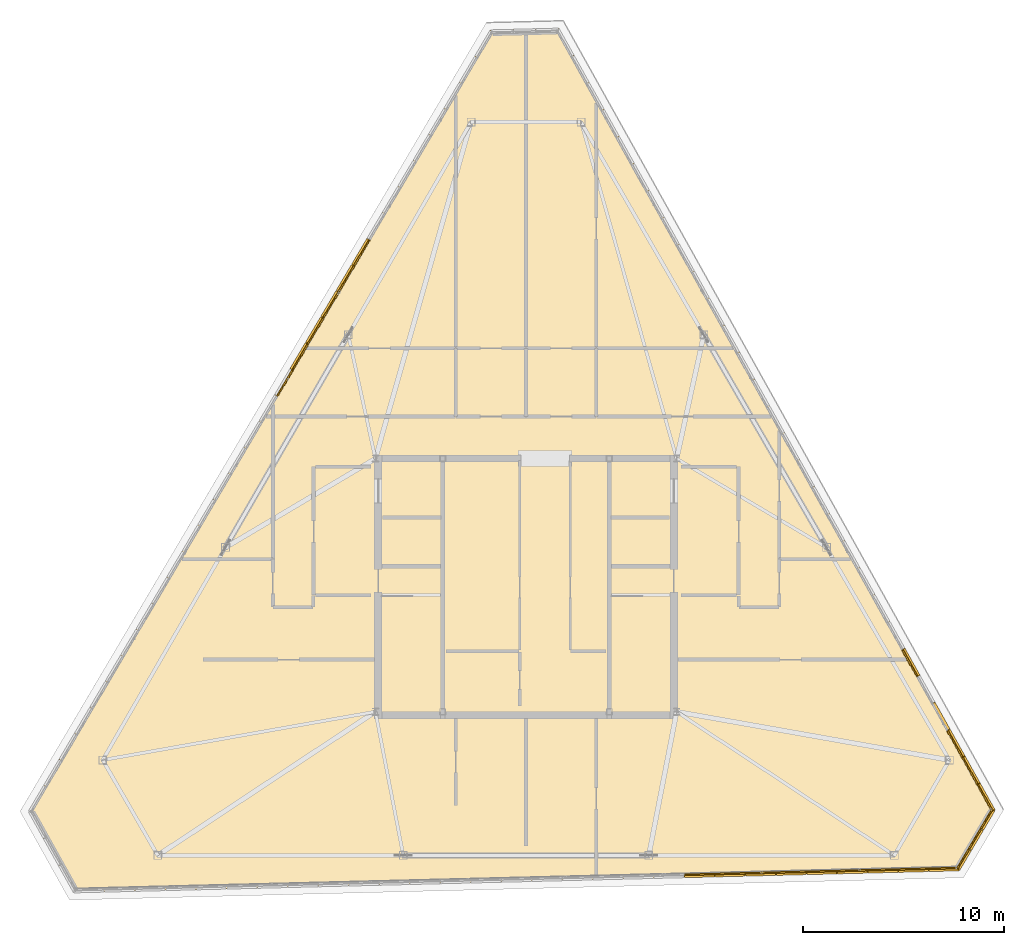
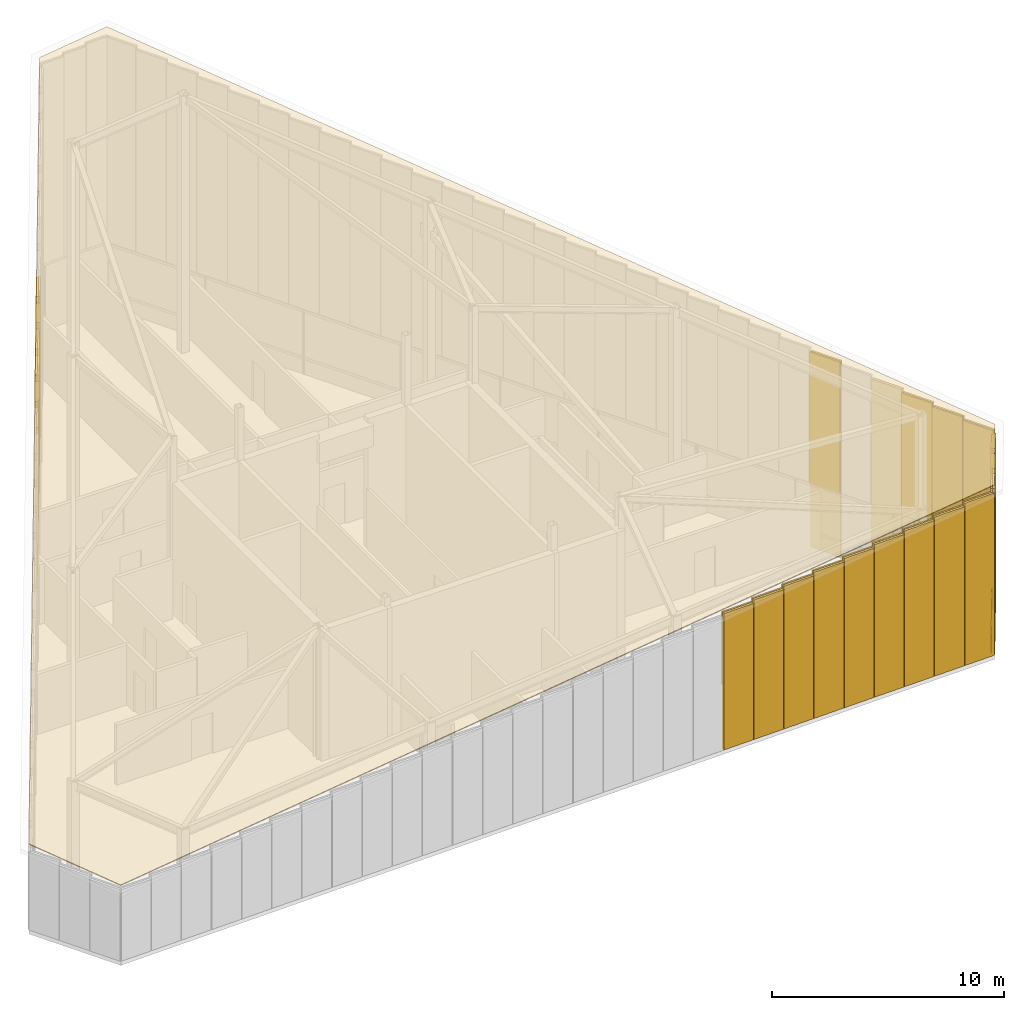
# One storey, part 48 of 50: 23 coverings, 22 shading devices, 1 railing.
"""IFC4 building model written with IfcOpenShell, lengths in metres."""

import ifcopenshell
import ifcopenshell.guid

model = None  # the IFC model being written
_history = None  # IfcOwnerHistory: only IFC2X3 demands one
_inside = {}  # id of a spatial element -> (the spatial element, [elements in it])
_under = {}  # id of a project, library or spatial element -> (it, [spatial elements below it])
_declared = {}  # id of a project -> (the project, [libraries it declares])
_typed = {}  # id of a type object -> (the type object, [elements of that type])
_made_of = {}  # id of a material, layer set ... -> (it, [elements and type objects made of it])


def new_model(schema):
    """Start an empty IFC model of exactly this schema.

    Asked for "IFC4X3", IfcOpenShell would pick the latest addendum, in which some entities
    have other attributes; the version numbers below select the first issue.
    IFC2X3 requires an IfcOwnerHistory on every rooted entity: one is made here for all.
    """
    global model, _history
    if schema == "IFC4X3":
        model = ifcopenshell.file(schema_version=(4, 3, 0, 0))
    else:
        model = ifcopenshell.file(schema=schema)
    _inside.clear()
    _under.clear()
    _declared.clear()
    _typed.clear()
    _made_of.clear()
    _history = None
    if model.schema == "IFC2X3":
        org = make("IfcOrganization", Name="unknown")
        user = make(
            "IfcPersonAndOrganization",
            ThePerson=make("IfcPerson", FamilyName="unknown"),
            TheOrganization=org,
        )
        app = make(
            "IfcApplication",
            ApplicationDeveloper=org,
            Version="unknown",
            ApplicationFullName="unknown",
            ApplicationIdentifier="unknown",
        )
        _history = make(
            "IfcOwnerHistory",
            OwningUser=user,
            OwningApplication=app,
            ChangeAction="ADDED",
            CreationDate=0,
        )
    return model


def make(cls, **values):
    """One entity of the class cls with the attributes given. An attribute that is None is left unset."""
    return model.create_entity(
        cls, **{name: value for name, value in values.items() if value is not None}
    )


def rooted(cls, **values):
    """An entity with a GlobalId (a new one), such as an element, a storey or a relation."""
    return make(cls, GlobalId=ifcopenshell.guid.new(), OwnerHistory=_history, **values)


def si_unit(unit_type, name, prefix=None):
    """IfcSIUnit, for example si_unit("LENGTHUNIT", "METRE", prefix="MILLI")."""
    return make("IfcSIUnit", UnitType=unit_type, Prefix=prefix, Name=name)


def assignment(units):
    """IfcUnitAssignment: the units of a project."""
    return None if units is None else make("IfcUnitAssignment", Units=units)


def point(xyz):
    """IfcCartesianPoint."""
    return None if xyz is None else make("IfcCartesianPoint", Coordinates=xyz)


def direction(xyz):
    """IfcDirection."""
    return None if xyz is None else make("IfcDirection", DirectionRatios=xyz)


def frame(location, z_axis=None, x_axis=None):
    """IfcAxis2Placement3D, a coordinate frame: its origin and axes. An axis left out is left unset."""
    return make(
        "IfcAxis2Placement3D",
        Location=point(location),
        Axis=direction(z_axis),
        RefDirection=direction(x_axis),
    )


def frame_2d(location, x_axis=None):
    """IfcAxis2Placement2D, a coordinate frame in the plane: its origin and x axis."""
    return make(
        "IfcAxis2Placement2D", Location=point(location), RefDirection=direction(x_axis)
    )


def origin():
    """The frame at (0, 0, 0) with its axes left unset."""
    return frame((0.0, 0.0, 0.0))


def origin_2d():
    """The frame at (0, 0) in the plane with its x axis left unset."""
    return frame_2d((0.0, 0.0))


def place(relative_to, where):
    """IfcLocalPlacement: puts the frame where relative to a parent placement (None: the world)."""
    return make(
        "IfcLocalPlacement", PlacementRelTo=relative_to, RelativePlacement=where
    )


def context(
    kind, dimensions, precision=None, world=None, true_north=None, identifier=None
):
    """IfcGeometricRepresentationContext, for example the 3D "Model" context."""
    return make(
        "IfcGeometricRepresentationContext",
        ContextIdentifier=identifier,
        ContextType=kind,
        CoordinateSpaceDimension=dimensions,
        Precision=precision,
        WorldCoordinateSystem=world,
        TrueNorth=true_north,
    )


def subcontext(parent, identifier, kind, view, scale=None):
    """IfcGeometricRepresentationSubContext, for example "Body" below "Model"."""
    return make(
        "IfcGeometricRepresentationSubContext",
        ContextIdentifier=identifier,
        ContextType=kind,
        ParentContext=parent,
        TargetScale=scale,
        TargetView=view,
    )


def project(units=None, contexts=None):
    """IfcProject with its units and contexts."""
    return rooted(
        "IfcProject",
        Name="project",
        RepresentationContexts=contexts,
        UnitsInContext=assignment(units),
    )


def spatial(cls, under=None, at=None, **own):
    """A site, building, storey or space (cls), placed at a placement, below another one or the project."""
    s = rooted(cls, ObjectPlacement=at, **own)
    if under is not None:
        _under.setdefault(under.id(), (under, []))[1].append(s)
    return s


def polyline(points):
    """IfcPolyline through the points."""
    return make("IfcPolyline", Points=[point(p) for p in points])


def profile(cls, at=None, kind="AREA", **sizes):
    """A parametric profile (cls). Its sizes go by their IFC names, for example OverallWidth=200.0."""
    return make(cls, ProfileType=kind, Position=at, **sizes)


def rectangle(**sizes):
    """IfcRectangleProfileDef."""
    return profile("IfcRectangleProfileDef", **sizes)


def outline(outer, holes=None, kind="AREA"):
    """IfcArbitraryClosedProfileDef: a profile drawn as a closed curve; with holes, ...WithVoids."""
    if holes is None:
        return make("IfcArbitraryClosedProfileDef", ProfileType=kind, OuterCurve=outer)
    return make(
        "IfcArbitraryProfileDefWithVoids",
        ProfileType=kind,
        OuterCurve=outer,
        InnerCurves=holes,
    )


def extrude(swept, where, along, depth):
    """IfcExtrudedAreaSolid: the profile swept, set in the frame where, extruded along a direction by depth."""
    return make(
        "IfcExtrudedAreaSolid",
        SweptArea=swept,
        Position=where,
        ExtrudedDirection=direction(along),
        Depth=depth,
    )


def shape(context_of_items, identifier, shape_type, items):
    """IfcShapeRepresentation: the items that make up one representation, for example the "Body"."""
    return make(
        "IfcShapeRepresentation",
        ContextOfItems=context_of_items,
        RepresentationIdentifier=identifier,
        RepresentationType=shape_type,
        Items=items,
    )


def source(mapping_origin, context_of_items, identifier, shape_type, items):
    """IfcRepresentationMap: a shape defined once, which mapped items show again and again."""
    return make(
        "IfcRepresentationMap",
        MappingOrigin=mapping_origin,
        MappedRepresentation=shape(context_of_items, identifier, shape_type, items),
    )


def transform(
    local_origin,
    x_axis=None,
    y_axis=None,
    z_axis=None,
    scale=None,
    scale2=None,
    scale3=None,
    uniform=True,
):
    """IfcCartesianTransformationOperator3D, or its non-uniform kind. x_axis, y_axis, z_axis: its Axis1, 2, 3."""
    if uniform:
        return make(
            "IfcCartesianTransformationOperator3D",
            Axis1=direction(x_axis),
            Axis2=direction(y_axis),
            LocalOrigin=point(local_origin),
            Scale=scale,
            Axis3=direction(z_axis),
        )
    return make(
        "IfcCartesianTransformationOperator3DnonUniform",
        Axis1=direction(x_axis),
        Axis2=direction(y_axis),
        LocalOrigin=point(local_origin),
        Scale=scale,
        Axis3=direction(z_axis),
        Scale2=scale2,
        Scale3=scale3,
    )


def mapped(mapping_source, mapping_target):
    """IfcMappedItem: shows the shape of a source again, moved by a transform."""
    return make(
        "IfcMappedItem", MappingSource=mapping_source, MappingTarget=mapping_target
    )


def material(Name=None, Category=None):
    """IfcMaterial."""
    return make("IfcMaterial", Name=Name, Category=Category)


def layer(
    of_material, thickness, ventilated=None, Name=None, Category=None, Priority=None
):
    """IfcMaterialLayer: one layer of a wall or slab, of a material (None: an air gap)."""
    return make(
        "IfcMaterialLayer",
        Material=of_material,
        LayerThickness=thickness,
        IsVentilated=ventilated,
        Name=Name,
        Category=Category,
        Priority=Priority,
    )


def layer_set(layers, Name=None):
    """IfcMaterialLayerSet."""
    return make("IfcMaterialLayerSet", MaterialLayers=layers, LayerSetName=Name)


def made_of(thing, what):
    """Note that an element or type object is made of a material, layer set ...; save() writes the relation."""
    if what is not None:
        _made_of.setdefault(what.id(), (what, []))[1].append(thing)
    return thing


def type_object(cls, material=None, **own):
    """A type object (cls), such as IfcWallType, which elements share."""
    return made_of(rooted(cls, **own), material)


def type_shapes(of_type, sources):
    """Give a type object the sources (RepresentationMaps) that its elements show as mapped items."""
    of_type.RepresentationMaps = sources


def element(
    cls,
    number,
    at=None,
    inside=None,
    cuts=None,
    type_object=None,
    material=None,
    context=None,
    identifier="Body",
    shape_type=None,
    held_by="IfcProductDefinitionShape",
    body=None,
    shapes=None,
    **own,
):
    """One element of the class cls, such as IfcWall. Its Tag is "e" and its number.

    at: its placement. inside: the storey or other place that contains it. cuts: it is an
    opening in that element (IfcRelVoidsElement). A single representation is given by context,
    identifier, shape_type and body (its items); several are given by shapes. held_by: the class
    of the entity that holds the representations. save() writes the other relations.
    """
    e = rooted(cls, Tag="e%d" % number, ObjectPlacement=at, **own)
    if body is not None:
        shapes = [shape(context, identifier, shape_type, body)]
    if shapes is not None:
        e.Representation = make(held_by, Representations=shapes)
    if inside is not None:
        _inside.setdefault(inside.id(), (inside, []))[1].append(e)
    if cuts is not None:
        rooted(
            "IfcRelVoidsElement", RelatingBuildingElement=cuts, RelatedOpeningElement=e
        )
    if type_object is not None:
        _typed.setdefault(type_object.id(), (type_object, []))[1].append(e)
    return made_of(e, material)


def aggregate(whole, parts):
    """IfcRelAggregates: a whole, such as a stair, and the parts it consists of."""
    return rooted("IfcRelAggregates", RelatingObject=whole, RelatedObjects=parts)


def save(model, path):
    """Write the relations noted so far, then the file.

    IfcRelAggregates (storeys below a building ...), IfcRelContainedInSpatialStructure (elements
    in a storey), IfcRelDefinesByType, IfcRelAssociatesMaterial and IfcRelDeclares: one each for
    every whole, place, type object, material and project.
    """
    for whole, parts in _under.values():
        aggregate(whole, parts)
    for where, things in _inside.values():
        rooted(
            "IfcRelContainedInSpatialStructure",
            RelatedElements=things,
            RelatingStructure=where,
        )
    for kind, things in _typed.values():
        rooted("IfcRelDefinesByType", RelatedObjects=things, RelatingType=kind)
    for what, things in _made_of.values():
        rooted("IfcRelAssociatesMaterial", RelatedObjects=things, RelatingMaterial=what)
    for by, libraries in _declared.values():
        rooted("IfcRelDeclares", RelatingContext=by, RelatedDefinitions=libraries)
    model.write(path)


model = new_model("IFC4")

# Units and contexts
model_context = context("Model", 3, precision=1e-05, world=origin(), true_north=direction((0.0, 1.0)))
body_context = subcontext(model_context, "Body", "Model", "MODEL_VIEW")
ifc_project = project(units=[si_unit("LENGTHUNIT", "METRE"), si_unit("AREAUNIT", "SQUARE_METRE"), si_unit("VOLUMEUNIT", "CUBIC_METRE"), si_unit("PLANEANGLEUNIT", "RADIAN"), si_unit("MASSUNIT", "GRAM", prefix="KILO")], contexts=[model_context])

# Site, building, storey
site_placement = place(None, origin())
site = spatial("IfcSite", under=ifc_project, at=site_placement, CompositionType="ELEMENT")
building_placement = place(site_placement, origin())
building = spatial("IfcBuilding", under=site, at=building_placement, Name="Caelisora Broadcast Tower", CompositionType="ELEMENT")
storey_placement = place(building_placement, frame((0.0, 0.0, 303.39990234375)))
storey = spatial("IfcBuildingStorey", under=building, at=storey_placement, Name="L80", CompositionType="ELEMENT", Elevation=303.39990234375)

# Railing
ifc_material_1 = material(Name="Galvanised Steel Safety Guardrail", Category="steel")
ifc_layer_1 = layer(ifc_material_1, 0.048095703125, Name="Galvanised Steel Safety Guardrail")
ifc_layer_set_1 = layer_set([ifc_layer_1], Name="Galvanised Steel Safety Guardrail")
railing_type = type_object("IfcRailingType", Name="GR-1", PredefinedType="GUARDRAIL", material=ifc_layer_set_1)
railing_placement = place(storey_placement, frame((61.172119140625, 12.5009765625, 0.0)))
element("IfcRailing", 1, at=railing_placement, inside=storey, type_object=railing_type, Name="L80 balustrade GR-1 #01", PredefinedType="GUARDRAIL", context=body_context, shape_type="SweptSolid", body=[
    extrude(rectangle(XDim=0.048095703125, YDim=0.048095703125, at=origin_2d()), frame((0.0, 0.0, 1.076171875), z_axis=(-0.508868144233, -0.860844475956, 0.0), x_axis=(0.860844475956, -0.508868144233, 0.0)), (0.0, 0.0, 1.0), 3.317626953125),
    extrude(rectangle(XDim=0.03125, YDim=0.03125, at=origin_2d()), frame((0.0, 0.0, 0.550048828125), z_axis=(-0.508868144233, -0.860844475956, 0.0), x_axis=(0.860844475956, -0.508868144233, 0.0)), (0.0, 0.0, 1.0), 3.317626953125),
    extrude(rectangle(XDim=0.0419921875, YDim=0.0419921875, at=origin_2d()), origin(), (0.0, 0.0, 1.0), 1.052001953125),
    extrude(rectangle(XDim=0.0419921875, YDim=0.0419921875, at=origin_2d()), frame((-0.84423828125, -1.427978515625, 0.0)), (0.0, 0.0, 1.0), 1.052001953125),
    extrude(rectangle(XDim=0.0419921875, YDim=0.0419921875, at=origin_2d()), frame((-1.688232421875, -2.85595703125, 0.0)), (0.0, 0.0, 1.0), 1.052001953125),
])

# Covering
ifc_material_2 = material(Name="Standing-Seam Zinc-Terracotta Insulated Roof Membrane", Category="aluminium")
ifc_layer_2 = layer(ifc_material_2, 0.054931640625, Name="Standing-Seam Zinc-Terracotta Insulated Roof Membrane")
ifc_layer_set_2 = layer_set([ifc_layer_2], Name="Standing-Seam Zinc-Terracotta Insulated Roof Membrane")
covering_type_1 = type_object("IfcCoveringType", Name="RFG-1", PredefinedType="ROOFING", material=ifc_layer_set_2)
covering_1_placement = place(storey_placement, frame((39.6220703125, 51.408935546875, 14.5830078125), z_axis=(-0.105096871193, -0.18203635669, 0.977659149453), x_axis=(-0.993461080906, -0.024878264019, -0.111427791433)))
element("IfcCovering", 2, at=covering_1_placement, inside=storey, type_object=covering_type_1, Name="L80 sloped crown roofing membrane RFG-1", PredefinedType="ROOFING", context=body_context, shape_type="SweptSolid", body=[
    extrude(outline(polyline([(0.0, 0.0), (3.412412072464598, 1.3877787807814457e-17), (28.301898790791892, 38.93355664778545), (26.227215148390552, 43.08088140410183), (-18.139566976286027, 43.086566455659124), (-20.05375089114519, 40.09127049899031), (0.0, 0.0)])), origin(), (0.0, 0.0, -1.0), 0.054931640625),
])

# Shading device
ifc_material_3 = material(Name="Anodised Terracotta Aluminium Acoustic Louvre", Category="aluminium")
ifc_layer_3 = layer(ifc_material_3, 0.139892578125, Name="Anodised Terracotta Aluminium Acoustic Louvre")
ifc_layer_set_3 = layer_set([ifc_layer_3], Name="Anodised Terracotta Aluminium Acoustic Louvre")
shading_device_type = type_object("IfcShadingDeviceType", Name="LV-1", PredefinedType="JALOUSIE", material=ifc_layer_set_3)
shared_shape_1 = source(origin(), body_context, "Body", "SweptSolid", [
    extrude(rectangle(XDim=1.475830078125, YDim=0.139892578125, at=origin_2d()), origin(), (0.0, 0.0, 1.0), 11.135986328125),
])
shading_device_1_placement = place(storey_placement, frame((29.752685546875, 40.284912109375, -0.02001953125), z_axis=(0.0, 0.0, 1.0), x_axis=(-0.508891180174, -0.860830858381, 0.0)))
element("IfcShadingDevice", 3, at=shading_device_1_placement, inside=storey, type_object=shading_device_type, Name="L80 crown acoustic louvre #012", PredefinedType="JALOUSIE", context=body_context, shape_type="MappedRepresentation", body=[
    mapped(shared_shape_1, transform((0.0, 0.0, 0.0), scale=1.0)),
])

# Covering
ifc_material_4 = material(Name="Kiln-Fired Terracotta Spandrel Rainscreen Cladding", Category="ceramic")
ifc_layer_4 = layer(ifc_material_4, 0.044921875, Name="Kiln-Fired Terracotta Spandrel Rainscreen Cladding")
ifc_layer_set_4 = layer_set([ifc_layer_4], Name="Kiln-Fired Terracotta Spandrel Rainscreen Cladding")
covering_type_2 = type_object("IfcCoveringType", Name="CL-1", PredefinedType="CLADDING", material=ifc_layer_set_4)
shared_shape_2 = source(origin(), body_context, "Body", "SweptSolid", [
    extrude(rectangle(XDim=1.48583984375, YDim=0.080078125, at=origin_2d()), origin(), (0.0, 0.0, 1.0), 7.785888671875),
])
covering_2_placement = place(storey_placement, frame((29.821533203125, 40.244140625, 3.34033203125), z_axis=(0.0, 0.0, 1.0), x_axis=(-0.508891180174, -0.860830858381, 0.0)))
element("IfcCovering", 4, at=covering_2_placement, inside=storey, type_object=covering_type_2, Name="L80 crown fascia cladding #012", PredefinedType="CLADDING", context=body_context, shape_type="MappedRepresentation", body=[
    mapped(shared_shape_2, transform((0.0, 0.0, 0.0), scale=1.0)),
])

# Shading device
shared_shape_3 = source(origin(), body_context, "Body", "SweptSolid", [
    extrude(rectangle(XDim=1.475830078125, YDim=0.139892578125, at=origin_2d()), origin(), (0.0, 0.0, 1.0), 10.81201171875),
])
shading_device_2_placement = place(storey_placement, frame((28.986328125, 38.988525390625, -0.02001953125), z_axis=(0.0, 0.0, 1.0), x_axis=(-0.508891180174, -0.860830858381, 0.0)))
element("IfcShadingDevice", 5, at=shading_device_2_placement, inside=storey, type_object=shading_device_type, Name="L80 crown acoustic louvre #013", PredefinedType="JALOUSIE", context=body_context, shape_type="MappedRepresentation", body=[
    mapped(shared_shape_3, transform((0.0, 0.0, 0.0), scale=1.0)),
])

# Covering
shared_shape_4 = source(origin(), body_context, "Body", "SweptSolid", [
    extrude(rectangle(XDim=1.48583984375, YDim=0.080078125, at=origin_2d()), origin(), (0.0, 0.0, 1.0), 7.4619140625),
])
covering_3_placement = place(storey_placement, frame((29.05517578125, 38.94775390625, 3.340087890625), z_axis=(0.0, 0.0, 1.0), x_axis=(-0.508891180174, -0.860830858381, 0.0)))
element("IfcCovering", 6, at=covering_3_placement, inside=storey, type_object=covering_type_2, Name="L80 crown fascia cladding #013", PredefinedType="CLADDING", context=body_context, shape_type="MappedRepresentation", body=[
    mapped(shared_shape_4, transform((0.0, 0.0, 0.0), scale=1.0)),
])

# Shading device
shared_shape_5 = source(origin(), body_context, "Body", "SweptSolid", [
    extrude(rectangle(XDim=1.475830078125, YDim=0.139892578125, at=origin_2d()), origin(), (0.0, 0.0, 1.0), 10.488037109375),
])
shading_device_3_placement = place(storey_placement, frame((28.219970703125, 37.692138671875, -0.02001953125), z_axis=(0.0, 0.0, 1.0), x_axis=(-0.508891180174, -0.860830858381, 0.0)))
element("IfcShadingDevice", 7, at=shading_device_3_placement, inside=storey, type_object=shading_device_type, Name="L80 crown acoustic louvre #014", PredefinedType="JALOUSIE", context=body_context, shape_type="MappedRepresentation", body=[
    mapped(shared_shape_5, transform((0.0, 0.0, 0.0), scale=1.0)),
])

# Covering
shared_shape_6 = source(origin(), body_context, "Body", "SweptSolid", [
    extrude(rectangle(XDim=1.48583984375, YDim=0.080078125, at=origin_2d()), origin(), (0.0, 0.0, 1.0), 7.137939453125),
])
covering_4_placement = place(storey_placement, frame((28.288818359375, 37.6513671875, 3.34033203125), z_axis=(0.0, 0.0, 1.0), x_axis=(-0.508891180174, -0.860830858381, 0.0)))
element("IfcCovering", 8, at=covering_4_placement, inside=storey, type_object=covering_type_2, Name="L80 crown fascia cladding #014", PredefinedType="CLADDING", context=body_context, shape_type="MappedRepresentation", body=[
    mapped(shared_shape_6, transform((0.0, 0.0, 0.0), scale=1.0)),
])

# Shading device
shared_shape_7 = source(origin(), body_context, "Body", "SweptSolid", [
    extrude(rectangle(XDim=1.475830078125, YDim=0.139892578125, at=origin_2d()), origin(), (0.0, 0.0, 1.0), 10.1640625),
])
shading_device_4_placement = place(storey_placement, frame((27.45361328125, 36.395751953125, -0.02001953125), z_axis=(0.0, 0.0, 1.0), x_axis=(-0.508891180174, -0.860830858381, 0.0)))
element("IfcShadingDevice", 9, at=shading_device_4_placement, inside=storey, type_object=shading_device_type, Name="L80 crown acoustic louvre #015", PredefinedType="JALOUSIE", context=body_context, shape_type="MappedRepresentation", body=[
    mapped(shared_shape_7, transform((0.0, 0.0, 0.0), scale=1.0)),
])

# Covering
shared_shape_8 = source(origin(), body_context, "Body", "SweptSolid", [
    extrude(rectangle(XDim=1.48583984375, YDim=0.080078125, at=origin_2d()), origin(), (0.0, 0.0, 1.0), 6.81396484375),
])
covering_5_placement = place(storey_placement, frame((27.5224609375, 36.35498046875, 3.340087890625), z_axis=(0.0, 0.0, 1.0), x_axis=(-0.508891180174, -0.860830858381, 0.0)))
element("IfcCovering", 10, at=covering_5_placement, inside=storey, type_object=covering_type_2, Name="L80 crown fascia cladding #015", PredefinedType="CLADDING", context=body_context, shape_type="MappedRepresentation", body=[
    mapped(shared_shape_8, transform((0.0, 0.0, 0.0), scale=1.0)),
])

# Shading device
shared_shape_9 = source(origin(), body_context, "Body", "SweptSolid", [
    extrude(rectangle(XDim=1.475830078125, YDim=0.139892578125, at=origin_2d()), origin(), (0.0, 0.0, 1.0), 9.841064453125),
])
shading_device_5_placement = place(storey_placement, frame((26.687255859375, 35.099609375, -0.02001953125), z_axis=(0.0, 0.0, 1.0), x_axis=(-0.508891180174, -0.860830858381, 0.0)))
element("IfcShadingDevice", 11, at=shading_device_5_placement, inside=storey, type_object=shading_device_type, Name="L80 crown acoustic louvre #016", PredefinedType="JALOUSIE", context=body_context, shape_type="MappedRepresentation", body=[
    mapped(shared_shape_9, transform((0.0, 0.0, 0.0), scale=1.0)),
])

# Coverings
shared_shape_10 = source(origin(), body_context, "Body", "SweptSolid", [
    extrude(rectangle(XDim=1.48583984375, YDim=0.080078125, at=origin_2d()), origin(), (0.0, 0.0, 1.0), 6.490966796875),
])
covering_6_placement = place(storey_placement, frame((26.756103515625, 35.058837890625, 3.34033203125), z_axis=(0.0, 0.0, 1.0), x_axis=(-0.508891180174, -0.860830858381, 0.0)))
element("IfcCovering", 12, at=covering_6_placement, inside=storey, type_object=covering_type_2, Name="L80 crown fascia cladding #016", PredefinedType="CLADDING", context=body_context, shape_type="MappedRepresentation", body=[
    mapped(shared_shape_10, transform((0.0, 0.0, 0.0), scale=1.0)),
])
shared_shape_11 = source(origin(), body_context, "Body", "SweptSolid", [
    extrude(rectangle(XDim=1.48583984375, YDim=0.080078125, at=origin_2d()), origin(), (0.0, 0.0, 1.0), 6.1669921875),
])
covering_7_placement = place(storey_placement, frame((25.98974609375, 33.762451171875, 3.340087890625), z_axis=(0.0, 0.0, 1.0), x_axis=(-0.508891180174, -0.860830858381, 0.0)))
element("IfcCovering", 13, at=covering_7_placement, inside=storey, type_object=covering_type_2, Name="L80 crown fascia cladding #017", PredefinedType="CLADDING", context=body_context, shape_type="MappedRepresentation", body=[
    mapped(shared_shape_11, transform((0.0, 0.0, 0.0), scale=1.0)),
])

# Shading device
shared_shape_12 = source(origin(), body_context, "Body", "SweptSolid", [
    extrude(rectangle(XDim=1.490478515625, YDim=0.139892578125, at=origin_2d()), origin(), (0.0, 0.0, 1.0), 7.16796875),
])
shading_device_6_placement = place(storey_placement, frame((46.64501953125, 9.22509765625, -0.019775390625), z_axis=(0.0, 0.0, 1.0), x_axis=(0.999688560086, 0.024955617256, 0.0)))
element("IfcShadingDevice", 14, at=shading_device_6_placement, inside=storey, type_object=shading_device_type, Name="L80 crown acoustic louvre #057", PredefinedType="JALOUSIE", context=body_context, shape_type="MappedRepresentation", body=[
    mapped(shared_shape_12, transform((0.0, 0.0, 0.0), scale=1.0)),
])

# Covering
shared_shape_13 = source(origin(), body_context, "Body", "SweptSolid", [
    extrude(rectangle(XDim=1.50048828125, YDim=0.080078125, at=origin_2d()), origin(), (0.0, 0.0, 1.0), 3.818115234375),
])
covering_8_placement = place(storey_placement, frame((46.642822265625, 9.30517578125, 3.33984375), z_axis=(0.0, 0.0, 1.0), x_axis=(0.999688560086, 0.024955617256, 0.0)))
element("IfcCovering", 15, at=covering_8_placement, inside=storey, type_object=covering_type_2, Name="L80 crown fascia cladding #057", PredefinedType="CLADDING", context=body_context, shape_type="MappedRepresentation", body=[
    mapped(shared_shape_13, transform((0.0, 0.0, 0.0), scale=1.0)),
])

# Shading device
shared_shape_14 = source(origin(), body_context, "Body", "SweptSolid", [
    extrude(rectangle(XDim=1.490478515625, YDim=0.139892578125, at=origin_2d()), origin(), (0.0, 0.0, 1.0), 7.339111328125),
])
shading_device_7_placement = place(storey_placement, frame((48.164794921875, 9.262939453125, -0.02001953125), z_axis=(0.0, 0.0, 1.0), x_axis=(0.999688560086, 0.024955617256, 0.0)))
element("IfcShadingDevice", 16, at=shading_device_7_placement, inside=storey, type_object=shading_device_type, Name="L80 crown acoustic louvre #058", PredefinedType="JALOUSIE", context=body_context, shape_type="MappedRepresentation", body=[
    mapped(shared_shape_14, transform((0.0, 0.0, 0.0), scale=1.0)),
])

# Covering
shared_shape_15 = source(origin(), body_context, "Body", "SweptSolid", [
    extrude(rectangle(XDim=1.50048828125, YDim=0.080078125, at=origin_2d()), origin(), (0.0, 0.0, 1.0), 3.989013671875),
])
covering_9_placement = place(storey_placement, frame((48.162841796875, 9.343017578125, 3.34033203125), z_axis=(0.0, 0.0, 1.0), x_axis=(0.999688560086, 0.024955617256, 0.0)))
element("IfcCovering", 17, at=covering_9_placement, inside=storey, type_object=covering_type_2, Name="L80 crown fascia cladding #058", PredefinedType="CLADDING", context=body_context, shape_type="MappedRepresentation", body=[
    mapped(shared_shape_15, transform((0.0, 0.0, 0.0), scale=1.0)),
])

# Shading device
shared_shape_16 = source(origin(), body_context, "Body", "SweptSolid", [
    extrude(rectangle(XDim=1.490478515625, YDim=0.139892578125, at=origin_2d()), origin(), (0.0, 0.0, 1.0), 7.509033203125),
])
shading_device_8_placement = place(storey_placement, frame((49.684814453125, 9.30078125, -0.02001953125), z_axis=(0.0, 0.0, 1.0), x_axis=(0.999688560086, 0.024955617256, 0.0)))
element("IfcShadingDevice", 18, at=shading_device_8_placement, inside=storey, type_object=shading_device_type, Name="L80 crown acoustic louvre #059", PredefinedType="JALOUSIE", context=body_context, shape_type="MappedRepresentation", body=[
    mapped(shared_shape_16, transform((0.0, 0.0, 0.0), scale=1.0)),
])

# Covering
shared_shape_17 = source(origin(), body_context, "Body", "SweptSolid", [
    extrude(rectangle(XDim=1.50048828125, YDim=0.080078125, at=origin_2d()), origin(), (0.0, 0.0, 1.0), 4.158935546875),
])
covering_10_placement = place(storey_placement, frame((49.6826171875, 9.380859375, 3.34033203125), z_axis=(0.0, 0.0, 1.0), x_axis=(0.999688560086, 0.024955617256, 0.0)))
element("IfcCovering", 19, at=covering_10_placement, inside=storey, type_object=covering_type_2, Name="L80 crown fascia cladding #059", PredefinedType="CLADDING", context=body_context, shape_type="MappedRepresentation", body=[
    mapped(shared_shape_17, transform((0.0, 0.0, 0.0), scale=1.0)),
])

# Shading device
shared_shape_18 = source(origin(), body_context, "Body", "SweptSolid", [
    extrude(rectangle(XDim=1.490478515625, YDim=0.139892578125, at=origin_2d()), origin(), (0.0, 0.0, 1.0), 7.679931640625),
])
shading_device_9_placement = place(storey_placement, frame((51.20458984375, 9.338623046875, -0.02001953125), z_axis=(0.0, 0.0, 1.0), x_axis=(0.999688560086, 0.024955617256, 0.0)))
element("IfcShadingDevice", 20, at=shading_device_9_placement, inside=storey, type_object=shading_device_type, Name="L80 crown acoustic louvre #060", PredefinedType="JALOUSIE", context=body_context, shape_type="MappedRepresentation", body=[
    mapped(shared_shape_18, transform((0.0, 0.0, 0.0), scale=1.0)),
])

# Covering
shared_shape_19 = source(origin(), body_context, "Body", "SweptSolid", [
    extrude(rectangle(XDim=1.50048828125, YDim=0.080078125, at=origin_2d()), origin(), (0.0, 0.0, 1.0), 4.330078125),
])
covering_11_placement = place(storey_placement, frame((51.20263671875, 9.418701171875, 3.340087890625), z_axis=(0.0, 0.0, 1.0), x_axis=(0.999688560086, 0.024955617256, 0.0)))
element("IfcCovering", 21, at=covering_11_placement, inside=storey, type_object=covering_type_2, Name="L80 crown fascia cladding #060", PredefinedType="CLADDING", context=body_context, shape_type="MappedRepresentation", body=[
    mapped(shared_shape_19, transform((0.0, 0.0, 0.0), scale=1.0)),
])

# Shading device
shared_shape_20 = source(origin(), body_context, "Body", "SweptSolid", [
    extrude(rectangle(XDim=1.490478515625, YDim=0.139892578125, at=origin_2d()), origin(), (0.0, 0.0, 1.0), 7.85009765625),
])
shading_device_10_placement = place(storey_placement, frame((52.724609375, 9.376708984375, -0.02001953125), z_axis=(0.0, 0.0, 1.0), x_axis=(0.999688560086, 0.024955617256, 0.0)))
element("IfcShadingDevice", 22, at=shading_device_10_placement, inside=storey, type_object=shading_device_type, Name="L80 crown acoustic louvre #061", PredefinedType="JALOUSIE", context=body_context, shape_type="MappedRepresentation", body=[
    mapped(shared_shape_20, transform((0.0, 0.0, 0.0), scale=1.0)),
])

# Covering
shared_shape_21 = source(origin(), body_context, "Body", "SweptSolid", [
    extrude(rectangle(XDim=1.50048828125, YDim=0.080078125, at=origin_2d()), origin(), (0.0, 0.0, 1.0), 4.5),
])
covering_12_placement = place(storey_placement, frame((52.722412109375, 9.45654296875, 3.340087890625), z_axis=(0.0, 0.0, 1.0), x_axis=(0.999688560086, 0.024955617256, 0.0)))
element("IfcCovering", 23, at=covering_12_placement, inside=storey, type_object=covering_type_2, Name="L80 crown fascia cladding #061", PredefinedType="CLADDING", context=body_context, shape_type="MappedRepresentation", body=[
    mapped(shared_shape_21, transform((0.0, 0.0, 0.0), scale=1.0)),
])

# Shading device
shared_shape_22 = source(origin(), body_context, "Body", "SweptSolid", [
    extrude(rectangle(XDim=1.490478515625, YDim=0.139892578125, at=origin_2d()), origin(), (0.0, 0.0, 1.0), 8.02099609375),
])
shading_device_11_placement = place(storey_placement, frame((54.244384765625, 9.41455078125, -0.02001953125), z_axis=(0.0, 0.0, 1.0), x_axis=(0.999688560086, 0.024955617256, 0.0)))
element("IfcShadingDevice", 24, at=shading_device_11_placement, inside=storey, type_object=shading_device_type, Name="L80 crown acoustic louvre #062", PredefinedType="JALOUSIE", context=body_context, shape_type="MappedRepresentation", body=[
    mapped(shared_shape_22, transform((0.0, 0.0, 0.0), scale=1.0)),
])

# Covering
shared_shape_23 = source(origin(), body_context, "Body", "SweptSolid", [
    extrude(rectangle(XDim=1.50048828125, YDim=0.080078125, at=origin_2d()), origin(), (0.0, 0.0, 1.0), 4.6708984375),
])
covering_13_placement = place(storey_placement, frame((54.242431640625, 9.494384765625, 3.340087890625), z_axis=(0.0, 0.0, 1.0), x_axis=(0.999688560086, 0.024955617256, 0.0)))
element("IfcCovering", 25, at=covering_13_placement, inside=storey, type_object=covering_type_2, Name="L80 crown fascia cladding #062", PredefinedType="CLADDING", context=body_context, shape_type="MappedRepresentation", body=[
    mapped(shared_shape_23, transform((0.0, 0.0, 0.0), scale=1.0)),
])

# Shading device
shared_shape_24 = source(origin(), body_context, "Body", "SweptSolid", [
    extrude(rectangle(XDim=1.490478515625, YDim=0.139892578125, at=origin_2d()), origin(), (0.0, 0.0, 1.0), 8.19091796875),
])
shading_device_12_placement = place(storey_placement, frame((55.764404296875, 9.452392578125, -0.019775390625), z_axis=(0.0, 0.0, 1.0), x_axis=(0.999688560086, 0.024955617256, 0.0)))
element("IfcShadingDevice", 26, at=shading_device_12_placement, inside=storey, type_object=shading_device_type, Name="L80 crown acoustic louvre #063", PredefinedType="JALOUSIE", context=body_context, shape_type="MappedRepresentation", body=[
    mapped(shared_shape_24, transform((0.0, 0.0, 0.0), scale=1.0)),
])

# Covering
shared_shape_25 = source(origin(), body_context, "Body", "SweptSolid", [
    extrude(rectangle(XDim=1.50048828125, YDim=0.080078125, at=origin_2d()), origin(), (0.0, 0.0, 1.0), 4.841064453125),
])
covering_14_placement = place(storey_placement, frame((55.76220703125, 9.5322265625, 3.33984375), z_axis=(0.0, 0.0, 1.0), x_axis=(0.999688560086, 0.024955617256, 0.0)))
element("IfcCovering", 27, at=covering_14_placement, inside=storey, type_object=covering_type_2, Name="L80 crown fascia cladding #063", PredefinedType="CLADDING", context=body_context, shape_type="MappedRepresentation", body=[
    mapped(shared_shape_25, transform((0.0, 0.0, 0.0), scale=1.0)),
])

# Shading device
shared_shape_26 = source(origin(), body_context, "Body", "SweptSolid", [
    extrude(rectangle(XDim=1.490478515625, YDim=0.139892578125, at=origin_2d()), origin(), (0.0, 0.0, 1.0), 8.361083984375),
])
shading_device_13_placement = place(storey_placement, frame((57.2841796875, 9.490234375, -0.02001953125), z_axis=(0.0, 0.0, 1.0), x_axis=(0.999688560086, 0.024955617256, 0.0)))
element("IfcShadingDevice", 28, at=shading_device_13_placement, inside=storey, type_object=shading_device_type, Name="L80 crown acoustic louvre #064", PredefinedType="JALOUSIE", context=body_context, shape_type="MappedRepresentation", body=[
    mapped(shared_shape_26, transform((0.0, 0.0, 0.0), scale=1.0)),
])

# Covering
shared_shape_27 = source(origin(), body_context, "Body", "SweptSolid", [
    extrude(rectangle(XDim=1.50048828125, YDim=0.080078125, at=origin_2d()), origin(), (0.0, 0.0, 1.0), 5.010986328125),
])
covering_15_placement = place(storey_placement, frame((57.2822265625, 9.5703125, 3.34033203125), z_axis=(0.0, 0.0, 1.0), x_axis=(0.999688560086, 0.024955617256, 0.0)))
element("IfcCovering", 29, at=covering_15_placement, inside=storey, type_object=covering_type_2, Name="L80 crown fascia cladding #064", PredefinedType="CLADDING", context=body_context, shape_type="MappedRepresentation", body=[
    mapped(shared_shape_27, transform((0.0, 0.0, 0.0), scale=1.0)),
])

# Shading device
shared_shape_28 = source(origin(), body_context, "Body", "SweptSolid", [
    extrude(rectangle(XDim=1.490478515625, YDim=0.139892578125, at=origin_2d()), origin(), (0.0, 0.0, 1.0), 8.531982421875),
])
shading_device_14_placement = place(storey_placement, frame((58.80419921875, 9.528076171875, -0.02001953125), z_axis=(0.0, 0.0, 1.0), x_axis=(0.999688560086, 0.024955617256, 0.0)))
element("IfcShadingDevice", 30, at=shading_device_14_placement, inside=storey, type_object=shading_device_type, Name="L80 crown acoustic louvre #065", PredefinedType="JALOUSIE", context=body_context, shape_type="MappedRepresentation", body=[
    mapped(shared_shape_28, transform((0.0, 0.0, 0.0), scale=1.0)),
])

# Covering
shared_shape_29 = source(origin(), body_context, "Body", "SweptSolid", [
    extrude(rectangle(XDim=1.50048828125, YDim=0.080078125, at=origin_2d()), origin(), (0.0, 0.0, 1.0), 5.181884765625),
])
covering_16_placement = place(storey_placement, frame((58.802001953125, 9.60791015625, 3.34033203125), z_axis=(0.0, 0.0, 1.0), x_axis=(0.999688560086, 0.024955617256, 0.0)))
element("IfcCovering", 31, at=covering_16_placement, inside=storey, type_object=covering_type_2, Name="L80 crown fascia cladding #065", PredefinedType="CLADDING", context=body_context, shape_type="MappedRepresentation", body=[
    mapped(shared_shape_29, transform((0.0, 0.0, 0.0), scale=1.0)),
])

# Shading device
shared_shape_30 = source(origin(), body_context, "Body", "SweptSolid", [
    extrude(rectangle(XDim=1.12841796875, YDim=0.139892578125, at=origin_2d()), origin(), (0.0, 0.0, 1.0), 8.73388671875),
])
shading_device_15_placement = place(storey_placement, frame((59.8251953125, 10.02587890625, -0.019775390625), z_axis=(0.0, 0.0, 1.0), x_axis=(0.508740929096, 0.860919663536, 0.0)))
element("IfcShadingDevice", 32, at=shading_device_15_placement, inside=storey, type_object=shading_device_type, Name="L80 crown acoustic louvre #066", PredefinedType="JALOUSIE", context=body_context, shape_type="MappedRepresentation", body=[
    mapped(shared_shape_30, transform((0.0, 0.0, 0.0), scale=1.0)),
])

# Covering
shared_shape_31 = source(origin(), body_context, "Body", "SweptSolid", [
    extrude(rectangle(XDim=1.138427734375, YDim=0.080078125, at=origin_2d()), origin(), (0.0, 0.0, 1.0), 5.384033203125),
])
covering_17_placement = place(storey_placement, frame((59.75634765625, 10.066650390625, 3.33984375), z_axis=(0.0, 0.0, 1.0), x_axis=(0.508740929096, 0.860919663536, 0.0)))
element("IfcCovering", 33, at=covering_17_placement, inside=storey, type_object=covering_type_2, Name="L80 crown fascia cladding #066", PredefinedType="CLADDING", context=body_context, shape_type="MappedRepresentation", body=[
    mapped(shared_shape_31, transform((0.0, 0.0, 0.0), scale=1.0)),
])

# Shading device
shared_shape_32 = source(origin(), body_context, "Body", "SweptSolid", [
    extrude(rectangle(XDim=1.12841796875, YDim=0.139892578125, at=origin_2d()), origin(), (0.0, 0.0, 1.0), 8.98291015625),
])
shading_device_16_placement = place(storey_placement, frame((60.41455078125, 11.023193359375, -0.019775390625), z_axis=(0.0, 0.0, 1.0), x_axis=(0.508740929096, 0.860919663536, 0.0)))
element("IfcShadingDevice", 34, at=shading_device_16_placement, inside=storey, type_object=shading_device_type, Name="L80 crown acoustic louvre #067", PredefinedType="JALOUSIE", context=body_context, shape_type="MappedRepresentation", body=[
    mapped(shared_shape_32, transform((0.0, 0.0, 0.0), scale=1.0)),
])

# Covering
shared_shape_33 = source(origin(), body_context, "Body", "SweptSolid", [
    extrude(rectangle(XDim=1.138427734375, YDim=0.080078125, at=origin_2d()), origin(), (0.0, 0.0, 1.0), 5.633056640625),
])
covering_18_placement = place(storey_placement, frame((60.345703125, 11.06396484375, 3.33984375), z_axis=(0.0, 0.0, 1.0), x_axis=(0.508740929096, 0.860919663536, 0.0)))
element("IfcCovering", 35, at=covering_18_placement, inside=storey, type_object=covering_type_2, Name="L80 crown fascia cladding #067", PredefinedType="CLADDING", context=body_context, shape_type="MappedRepresentation", body=[
    mapped(shared_shape_33, transform((0.0, 0.0, 0.0), scale=1.0)),
])

# Shading device
shared_shape_34 = source(origin(), body_context, "Body", "SweptSolid", [
    extrude(rectangle(XDim=1.12841796875, YDim=0.139892578125, at=origin_2d()), origin(), (0.0, 0.0, 1.0), 9.23193359375),
])
shading_device_17_placement = place(storey_placement, frame((61.00390625, 12.020751953125, -0.019775390625), z_axis=(0.0, 0.0, 1.0), x_axis=(0.508740929096, 0.860919663536, 0.0)))
element("IfcShadingDevice", 36, at=shading_device_17_placement, inside=storey, type_object=shading_device_type, Name="L80 crown acoustic louvre #068", PredefinedType="JALOUSIE", context=body_context, shape_type="MappedRepresentation", body=[
    mapped(shared_shape_34, transform((0.0, 0.0, 0.0), scale=1.0)),
])

# Covering
shared_shape_35 = source(origin(), body_context, "Body", "SweptSolid", [
    extrude(rectangle(XDim=1.138427734375, YDim=0.080078125, at=origin_2d()), origin(), (0.0, 0.0, 1.0), 5.882080078125),
])
covering_19_placement = place(storey_placement, frame((60.93505859375, 12.061279296875, 3.33984375), z_axis=(0.0, 0.0, 1.0), x_axis=(0.508740929096, 0.860919663536, 0.0)))
element("IfcCovering", 37, at=covering_19_placement, inside=storey, type_object=covering_type_2, Name="L80 crown fascia cladding #068", PredefinedType="CLADDING", context=body_context, shape_type="MappedRepresentation", body=[
    mapped(shared_shape_35, transform((0.0, 0.0, 0.0), scale=1.0)),
])

# Shading device
shared_shape_36 = source(origin(), body_context, "Body", "SweptSolid", [
    extrude(rectangle(XDim=1.506591796875, YDim=0.139892578125, at=origin_2d()), origin(), (0.0, 0.0, 1.0), 9.43408203125),
])
shading_device_18_placement = place(storey_placement, frame((60.923583984375, 13.150390625, -0.02001953125), z_axis=(0.0, 0.0, 1.0), x_axis=(-0.487250125725, 0.87326245481, 0.0)))
element("IfcShadingDevice", 38, at=shading_device_18_placement, inside=storey, type_object=shading_device_type, Name="L80 crown acoustic louvre #069", PredefinedType="JALOUSIE", context=body_context, shape_type="MappedRepresentation", body=[
    mapped(shared_shape_36, transform((0.0, 0.0, 0.0), scale=1.0)),
])

# Covering
shared_shape_37 = source(origin(), body_context, "Body", "SweptSolid", [
    extrude(rectangle(XDim=1.5166015625, YDim=0.080078125, at=origin_2d()), origin(), (0.0, 0.0, 1.0), 6.083984375),
])
covering_20_placement = place(storey_placement, frame((60.85400390625, 13.111328125, 3.340087890625), z_axis=(0.0, 0.0, 1.0), x_axis=(-0.487250125725, 0.87326245481, 0.0)))
element("IfcCovering", 39, at=covering_20_placement, inside=storey, type_object=covering_type_2, Name="L80 crown fascia cladding #069", PredefinedType="CLADDING", context=body_context, shape_type="MappedRepresentation", body=[
    mapped(shared_shape_37, transform((0.0, 0.0, 0.0), scale=1.0)),
])

# Shading device
shared_shape_38 = source(origin(), body_context, "Body", "SweptSolid", [
    extrude(rectangle(XDim=1.506591796875, YDim=0.139892578125, at=origin_2d()), origin(), (0.0, 0.0, 1.0), 9.60302734375),
])
shading_device_19_placement = place(storey_placement, frame((60.175048828125, 14.4921875, -0.02001953125), z_axis=(0.0, 0.0, 1.0), x_axis=(-0.487250125725, 0.87326245481, 0.0)))
element("IfcShadingDevice", 40, at=shading_device_19_placement, inside=storey, type_object=shading_device_type, Name="L80 crown acoustic louvre #070", PredefinedType="JALOUSIE", context=body_context, shape_type="MappedRepresentation", body=[
    mapped(shared_shape_38, transform((0.0, 0.0, 0.0), scale=1.0)),
])

# Covering
shared_shape_39 = source(origin(), body_context, "Body", "SweptSolid", [
    extrude(rectangle(XDim=1.5166015625, YDim=0.080078125, at=origin_2d()), origin(), (0.0, 0.0, 1.0), 6.2529296875),
])
covering_21_placement = place(storey_placement, frame((60.105224609375, 14.453125, 3.340087890625), z_axis=(0.0, 0.0, 1.0), x_axis=(-0.487250125725, 0.87326245481, 0.0)))
element("IfcCovering", 41, at=covering_21_placement, inside=storey, type_object=covering_type_2, Name="L80 crown fascia cladding #070", PredefinedType="CLADDING", context=body_context, shape_type="MappedRepresentation", body=[
    mapped(shared_shape_39, transform((0.0, 0.0, 0.0), scale=1.0)),
])

# Shading device
shared_shape_40 = source(origin(), body_context, "Body", "SweptSolid", [
    extrude(rectangle(XDim=1.506591796875, YDim=0.139892578125, at=origin_2d()), origin(), (0.0, 0.0, 1.0), 9.77294921875),
])
shading_device_20_placement = place(storey_placement, frame((59.426513671875, 15.833740234375, -0.019775390625), z_axis=(0.0, 0.0, 1.0), x_axis=(-0.487250125725, 0.87326245481, 0.0)))
element("IfcShadingDevice", 42, at=shading_device_20_placement, inside=storey, type_object=shading_device_type, Name="L80 crown acoustic louvre #071", PredefinedType="JALOUSIE", context=body_context, shape_type="MappedRepresentation", body=[
    mapped(shared_shape_40, transform((0.0, 0.0, 0.0), scale=1.0)),
])

# Covering
shared_shape_41 = source(origin(), body_context, "Body", "SweptSolid", [
    extrude(rectangle(XDim=1.5166015625, YDim=0.080078125, at=origin_2d()), origin(), (0.0, 0.0, 1.0), 6.423095703125),
])
covering_22_placement = place(storey_placement, frame((59.356689453125, 15.794921875, 3.33984375), z_axis=(0.0, 0.0, 1.0), x_axis=(-0.487250125725, 0.87326245481, 0.0)))
element("IfcCovering", 43, at=covering_22_placement, inside=storey, type_object=covering_type_2, Name="L80 crown fascia cladding #071", PredefinedType="CLADDING", context=body_context, shape_type="MappedRepresentation", body=[
    mapped(shared_shape_41, transform((0.0, 0.0, 0.0), scale=1.0)),
])

# Shading devices
shared_shape_42 = source(origin(), body_context, "Body", "SweptSolid", [
    extrude(rectangle(XDim=1.506591796875, YDim=0.139892578125, at=origin_2d()), origin(), (0.0, 0.0, 1.0), 9.94189453125),
])
shading_device_21_placement = place(storey_placement, frame((58.677734375, 17.175537109375, -0.019775390625), z_axis=(0.0, 0.0, 1.0), x_axis=(-0.487250125725, 0.87326245481, 0.0)))
element("IfcShadingDevice", 44, at=shading_device_21_placement, inside=storey, type_object=shading_device_type, Name="L80 crown acoustic louvre #072", PredefinedType="JALOUSIE", context=body_context, shape_type="MappedRepresentation", body=[
    mapped(shared_shape_42, transform((0.0, 0.0, 0.0), scale=1.0)),
])
shared_shape_43 = source(origin(), body_context, "Body", "SweptSolid", [
    extrude(rectangle(XDim=1.506591796875, YDim=0.139892578125, at=origin_2d()), origin(), (0.0, 0.0, 1.0), 10.281005859375),
])
type_shapes(shading_device_type, [shared_shape_1, shared_shape_3, shared_shape_5, shared_shape_7, shared_shape_9, shared_shape_12, shared_shape_14, shared_shape_16, shared_shape_18, shared_shape_20, shared_shape_22, shared_shape_24, shared_shape_26, shared_shape_28, shared_shape_30, shared_shape_32, shared_shape_34, shared_shape_36, shared_shape_38, shared_shape_40, shared_shape_42, shared_shape_43])
shading_device_22_placement = place(storey_placement, frame((57.180419921875, 19.85888671875, -0.02001953125), z_axis=(0.0, 0.0, 1.0), x_axis=(-0.487250125725, 0.87326245481, 0.0)))
element("IfcShadingDevice", 45, at=shading_device_22_placement, inside=storey, type_object=shading_device_type, Name="L80 crown acoustic louvre #074", PredefinedType="JALOUSIE", context=body_context, shape_type="MappedRepresentation", body=[
    mapped(shared_shape_43, transform((0.0, 0.0, 0.0), scale=1.0)),
])

# Covering
shared_shape_44 = source(origin(), body_context, "Body", "SweptSolid", [
    extrude(rectangle(XDim=1.5166015625, YDim=0.080078125, at=origin_2d()), origin(), (0.0, 0.0, 1.0), 6.930908203125),
])
type_shapes(covering_type_2, [shared_shape_2, shared_shape_4, shared_shape_6, shared_shape_8, shared_shape_10, shared_shape_11, shared_shape_13, shared_shape_15, shared_shape_17, shared_shape_19, shared_shape_21, shared_shape_23, shared_shape_25, shared_shape_27, shared_shape_29, shared_shape_31, shared_shape_33, shared_shape_35, shared_shape_37, shared_shape_39, shared_shape_41, shared_shape_44])
covering_23_placement = place(storey_placement, frame((57.110595703125, 19.820068359375, 3.34033203125), z_axis=(0.0, 0.0, 1.0), x_axis=(-0.487250125725, 0.87326245481, 0.0)))
element("IfcCovering", 46, at=covering_23_placement, inside=storey, type_object=covering_type_2, Name="L80 crown fascia cladding #074", PredefinedType="CLADDING", context=body_context, shape_type="MappedRepresentation", body=[
    mapped(shared_shape_44, transform((0.0, 0.0, 0.0), scale=1.0)),
])

save(model, "model.ifc")
